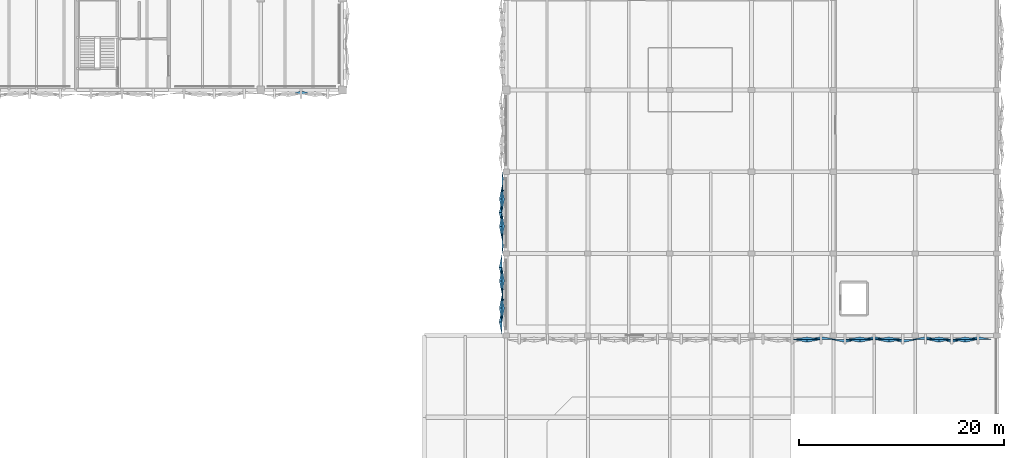
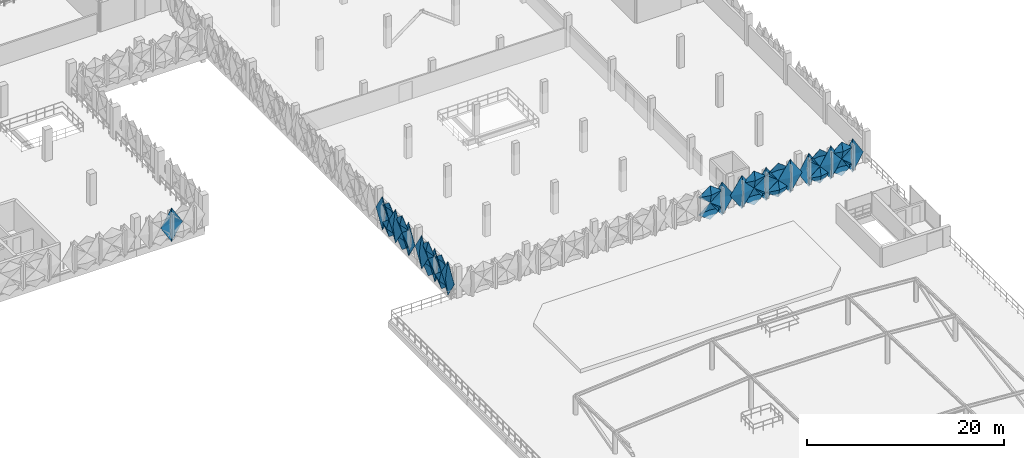
# One storey, part 57 of 76: 32 plates.
"""IFC4 building model written with IfcOpenShell, lengths in metres."""

from ifc_helpers import new_model, si_unit, derived_unit, direction, frame, origin, place, context, subcontext, project, spatial, polygons, material, layer, layer_set, type_object, element, save


model = new_model("IFC4")

# Units and contexts
model_context = context("Model", 3, precision=1e-05, world=origin(), true_north=direction((0.0, 1.0)))
body_context = subcontext(model_context, "Body", "Model", "MODEL_VIEW")
ifc_project = project(units=[si_unit("LENGTHUNIT", "METRE"), si_unit("AREAUNIT", "SQUARE_METRE"), si_unit("VOLUMEUNIT", "CUBIC_METRE"), si_unit("PLANEANGLEUNIT", "RADIAN"), si_unit("MASSUNIT", "GRAM", prefix="KILO"), si_unit("THERMODYNAMICTEMPERATUREUNIT", "KELVIN"), derived_unit("THERMALTRANSMITTANCEUNIT", [(si_unit("POWERUNIT", "WATT"), 1), (si_unit("AREAUNIT", "SQUARE_METRE"), -1), (si_unit("THERMODYNAMICTEMPERATUREUNIT", "KELVIN"), -1)])], contexts=[model_context])

# Site, building, storey
site_placement = place(None, origin())
site = spatial("IfcSite", under=ifc_project, at=site_placement, CompositionType="ELEMENT")
building_placement = place(site_placement, origin())
building = spatial("IfcBuilding", under=site, at=building_placement, Name="Haiyu Intermodal Mobility Hub", CompositionType="ELEMENT")
storey_placement = place(building_placement, frame((0.0, 0.0, 17.300048828125)))
storey = spatial("IfcBuildingStorey", under=building, at=storey_placement, Name="L04", CompositionType="ELEMENT", Elevation=17.300048828125)

# Plates
ifc_material = material(Name="Anodised aluminium 6063-T6", Category="aluminium")
ifc_layer_1 = layer(ifc_material, 0.01806640625)
ifc_layer_set_1 = layer_set([ifc_layer_1], Name="Anodised aluminium 6063-T6")
plate_type_1 = type_object("IfcPlateType", Name="PLT-FC01", PredefinedType="USERDEFINED", material=ifc_layer_set_1)
plate_1_placement = place(storey_placement, origin())
element("IfcPlate", 1, at=plate_1_placement, inside=storey, type_object=plate_type_1, Name="PLT-PYR-1894", ObjectType="FACADE CASSETTE", PredefinedType="USERDEFINED", context=body_context, shape_type="Tessellation", body=[
    polygons([(195.1669921875, 79.60009765625, -0.510009765625), (196.56298828125, 79.60009765625, 1.599853515625), (195.1669921875, 79.60009765625, 3.7099609375), (193.77001953125, 79.60009765625, 1.599853515625), (195.1669921875, 79.320068359375, 1.599853515625), (195.1669921875, 79.6220703125, -0.510009765625), (196.56298828125, 79.6220703125, 1.599853515625), (195.1669921875, 79.6220703125, 3.7099609375), (193.77001953125, 79.6220703125, 1.599853515625), (195.1669921875, 79.342041015625, 1.599853515625)], [[[1, 2, 5]], [[2, 3, 5]], [[3, 4, 5]], [[4, 1, 5]], [[7, 6, 10]], [[8, 7, 10]], [[9, 8, 10]], [[6, 9, 10]], [[1, 6, 7, 2]], [[2, 7, 8, 3]], [[3, 8, 9, 4]], [[4, 9, 6, 1]]], closed=True),
])
plate_2_placement = place(storey_placement, origin())
element("IfcPlate", 2, at=plate_2_placement, inside=storey, type_object=plate_type_1, Name="PLT-PYR-1898", ObjectType="FACADE CASSETTE", PredefinedType="USERDEFINED", context=body_context, shape_type="Tessellation", body=[
    polygons([(199.4169921875, 79.60009765625, -0.52001953125), (200.81298828125, 79.60009765625, 0.530029296875), (199.4169921875, 79.60009765625, 1.579833984375), (198.02001953125, 79.60009765625, 0.530029296875), (199.4169921875, 79.340087890625, 0.530029296875), (199.4169921875, 79.6220703125, -0.52001953125), (200.81298828125, 79.6220703125, 0.530029296875), (199.4169921875, 79.6220703125, 1.579833984375), (198.02001953125, 79.6220703125, 0.530029296875), (199.4169921875, 79.362060546875, 0.530029296875)], [[[1, 2, 5]], [[2, 3, 5]], [[3, 4, 5]], [[4, 1, 5]], [[7, 6, 10]], [[8, 7, 10]], [[9, 8, 10]], [[6, 9, 10]], [[1, 6, 7, 2]], [[2, 7, 8, 3]], [[3, 8, 9, 4]], [[4, 9, 6, 1]]], closed=True),
])
plate_3_placement = place(storey_placement, origin())
element("IfcPlate", 3, at=plate_3_placement, inside=storey, type_object=plate_type_1, Name="PLT-PYR-1902", ObjectType="FACADE CASSETTE", PredefinedType="USERDEFINED", context=body_context, shape_type="Tessellation", body=[
    polygons([(204.31689453125, 79.60009765625, -0.52001953125), (205.580078125, 79.60009765625, 0.530029296875), (204.31689453125, 79.60009765625, 1.579833984375), (203.052978515625, 79.60009765625, 0.530029296875), (204.31689453125, 79.340087890625, 0.530029296875), (204.31689453125, 79.6220703125, -0.52001953125), (205.580078125, 79.6220703125, 0.530029296875), (204.31689453125, 79.6220703125, 1.579833984375), (203.052978515625, 79.6220703125, 0.530029296875), (204.31689453125, 79.362060546875, 0.530029296875)], [[[1, 2, 5]], [[2, 3, 5]], [[3, 4, 5]], [[4, 1, 5]], [[7, 6, 10]], [[8, 7, 10]], [[9, 8, 10]], [[6, 9, 10]], [[1, 6, 7, 2]], [[2, 7, 8, 3]], [[3, 8, 9, 4]], [[4, 9, 6, 1]]], closed=True),
])
plate_4_placement = place(storey_placement, origin())
element("IfcPlate", 4, at=plate_4_placement, inside=storey, type_object=plate_type_1, Name="PLT-PYR-2148", ObjectType="FACADE CASSETTE", PredefinedType="USERDEFINED", context=body_context, shape_type="Tessellation", body=[
    polygons([(161.60009765625, 86.6669921875, -0.510009765625), (161.60009765625, 85.35302734375, 1.599853515625), (161.60009765625, 86.6669921875, 3.7099609375), (161.60009765625, 87.97998046875, 1.599853515625), (161.320068359375, 86.6669921875, 1.599853515625), (161.6220703125, 86.6669921875, -0.510009765625), (161.6220703125, 85.35302734375, 1.599853515625), (161.6220703125, 86.6669921875, 3.7099609375), (161.6220703125, 87.97998046875, 1.599853515625), (161.342041015625, 86.6669921875, 1.599853515625)], [[[1, 2, 5]], [[2, 3, 5]], [[3, 4, 5]], [[4, 1, 5]], [[7, 6, 10]], [[8, 7, 10]], [[9, 8, 10]], [[6, 9, 10]], [[1, 6, 7, 2]], [[2, 7, 8, 3]], [[3, 8, 9, 4]], [[4, 9, 6, 1]]], closed=True),
])
plate_5_placement = place(storey_placement, origin())
element("IfcPlate", 5, at=plate_5_placement, inside=storey, type_object=plate_type_1, Name="PLT-PYR-2152", ObjectType="FACADE CASSETTE", PredefinedType="USERDEFINED", context=body_context, shape_type="Tessellation", body=[
    polygons([(161.60009765625, 82.6669921875, -0.52001953125), (161.60009765625, 81.35302734375, 0.530029296875), (161.60009765625, 82.6669921875, 1.579833984375), (161.60009765625, 83.97998046875, 0.530029296875), (161.340087890625, 82.6669921875, 0.530029296875), (161.6220703125, 82.6669921875, -0.52001953125), (161.6220703125, 81.35302734375, 0.530029296875), (161.6220703125, 82.6669921875, 1.579833984375), (161.6220703125, 83.97998046875, 0.530029296875), (161.362060546875, 82.6669921875, 0.530029296875)], [[[1, 2, 5]], [[2, 3, 5]], [[3, 4, 5]], [[4, 1, 5]], [[7, 6, 10]], [[8, 7, 10]], [[9, 8, 10]], [[6, 9, 10]], [[1, 6, 7, 2]], [[2, 7, 8, 3]], [[3, 8, 9, 4]], [[4, 9, 6, 1]]], closed=True),
])
plate_6_placement = place(storey_placement, origin())
element("IfcPlate", 6, at=plate_6_placement, inside=storey, type_object=plate_type_1, Name="PLT-PYR-2156", ObjectType="FACADE CASSETTE", PredefinedType="USERDEFINED", context=body_context, shape_type="Tessellation", body=[
    polygons([(161.60009765625, 93.3330078125, -0.52001953125), (161.60009765625, 92.02001953125, 0.530029296875), (161.60009765625, 93.3330078125, 1.579833984375), (161.60009765625, 94.64697265625, 0.530029296875), (161.340087890625, 93.3330078125, 0.530029296875), (161.6220703125, 93.3330078125, -0.52001953125), (161.6220703125, 92.02001953125, 0.530029296875), (161.6220703125, 93.3330078125, 1.579833984375), (161.6220703125, 94.64697265625, 0.530029296875), (161.362060546875, 93.3330078125, 0.530029296875)], [[[1, 2, 5]], [[2, 3, 5]], [[3, 4, 5]], [[4, 1, 5]], [[7, 6, 10]], [[8, 7, 10]], [[9, 8, 10]], [[6, 9, 10]], [[1, 6, 7, 2]], [[2, 7, 8, 3]], [[3, 8, 9, 4]], [[4, 9, 6, 1]]], closed=True),
])
ifc_layer_2 = layer(ifc_material, 0.02001953125)
ifc_layer_set_2 = layer_set([ifc_layer_2], Name="Anodised aluminium 6063-T6")
plate_type_2 = type_object("IfcPlateType", Name="PLT-FC02", PredefinedType="USERDEFINED", material=ifc_layer_set_2)
plate_7_placement = place(storey_placement, origin())
element("IfcPlate", 7, at=plate_7_placement, inside=storey, type_object=plate_type_2, Name="PLT-PYR-1891", ObjectType="FACADE CASSETTE", PredefinedType="USERDEFINED", context=body_context, shape_type="Tessellation", body=[
    polygons([(191.4169921875, 79.60009765625, -0.52001953125), (192.81298828125, 79.60009765625, 0.530029296875), (191.4169921875, 79.60009765625, 1.579833984375), (190.02001953125, 79.60009765625, 0.530029296875), (191.4169921875, 79.820068359375, 0.530029296875), (191.4169921875, 79.6220703125, -0.52001953125), (192.81298828125, 79.6220703125, 0.530029296875), (191.4169921875, 79.6220703125, 1.579833984375), (190.02001953125, 79.6220703125, 0.530029296875), (191.4169921875, 79.842041015625, 0.530029296875)], [[[1, 2, 5]], [[2, 3, 5]], [[3, 4, 5]], [[4, 1, 5]], [[7, 6, 10]], [[8, 7, 10]], [[9, 8, 10]], [[6, 9, 10]], [[1, 6, 7, 2]], [[2, 7, 8, 3]], [[3, 8, 9, 4]], [[4, 9, 6, 1]]], closed=True),
])
plate_8_placement = place(storey_placement, origin())
element("IfcPlate", 8, at=plate_8_placement, inside=storey, type_object=plate_type_2, Name="PLT-PYR-1895", ObjectType="FACADE CASSETTE", PredefinedType="USERDEFINED", context=body_context, shape_type="Tessellation", body=[
    polygons([(196.5830078125, 79.60009765625, -0.52001953125), (197.97998046875, 79.60009765625, 0.530029296875), (196.5830078125, 79.60009765625, 1.579833984375), (195.18701171875, 79.60009765625, 0.530029296875), (196.5830078125, 79.820068359375, 0.530029296875), (196.5830078125, 79.6220703125, -0.52001953125), (197.97998046875, 79.6220703125, 0.530029296875), (196.5830078125, 79.6220703125, 1.579833984375), (195.18701171875, 79.6220703125, 0.530029296875), (196.5830078125, 79.842041015625, 0.530029296875)], [[[1, 2, 5]], [[2, 3, 5]], [[3, 4, 5]], [[4, 1, 5]], [[7, 6, 10]], [[8, 7, 10]], [[9, 8, 10]], [[6, 9, 10]], [[1, 6, 7, 2]], [[2, 7, 8, 3]], [[3, 8, 9, 4]], [[4, 9, 6, 1]]], closed=True),
])
plate_9_placement = place(storey_placement, origin())
element("IfcPlate", 9, at=plate_9_placement, inside=storey, type_object=plate_type_2, Name="PLT-PYR-1901", ObjectType="FACADE CASSETTE", PredefinedType="USERDEFINED", context=body_context, shape_type="Tessellation", body=[
    polygons([(203.032958984375, 79.60009765625, -0.510009765625), (204.297119140625, 79.60009765625, 1.599853515625), (203.032958984375, 79.60009765625, 3.7099609375), (201.77001953125, 79.60009765625, 1.599853515625), (203.032958984375, 79.860107421875, 1.599853515625), (203.032958984375, 79.6220703125, -0.510009765625), (204.297119140625, 79.6220703125, 1.599853515625), (203.032958984375, 79.6220703125, 3.7099609375), (201.77001953125, 79.6220703125, 1.599853515625), (203.032958984375, 79.882080078125, 1.599853515625)], [[[1, 2, 5]], [[2, 3, 5]], [[3, 4, 5]], [[4, 1, 5]], [[7, 6, 10]], [[8, 7, 10]], [[9, 8, 10]], [[6, 9, 10]], [[1, 6, 7, 2]], [[2, 7, 8, 3]], [[3, 8, 9, 4]], [[4, 9, 6, 1]]], closed=True),
])
plate_10_placement = place(storey_placement, origin())
element("IfcPlate", 10, at=plate_10_placement, inside=storey, type_object=plate_type_2, Name="PLT-PYR-1905", ObjectType="FACADE CASSETTE", PredefinedType="USERDEFINED", context=body_context, shape_type="Tessellation", body=[
    polygons([(206.883056640625, 79.60009765625, -0.52001953125), (208.14697265625, 79.60009765625, 0.530029296875), (206.883056640625, 79.60009765625, 1.579833984375), (205.6201171875, 79.60009765625, 0.530029296875), (206.883056640625, 79.820068359375, 0.530029296875), (206.883056640625, 79.6220703125, -0.52001953125), (208.14697265625, 79.6220703125, 0.530029296875), (206.883056640625, 79.6220703125, 1.579833984375), (205.6201171875, 79.6220703125, 0.530029296875), (206.883056640625, 79.842041015625, 0.530029296875)], [[[1, 2, 5]], [[2, 3, 5]], [[3, 4, 5]], [[4, 1, 5]], [[7, 6, 10]], [[8, 7, 10]], [[9, 8, 10]], [[6, 9, 10]], [[1, 6, 7, 2]], [[2, 7, 8, 3]], [[3, 8, 9, 4]], [[4, 9, 6, 1]]], closed=True),
])
plate_11_placement = place(storey_placement, origin())
element("IfcPlate", 11, at=plate_11_placement, inside=storey, type_object=plate_type_2, Name="PLT-PYR-2149", ObjectType="FACADE CASSETTE", PredefinedType="USERDEFINED", context=body_context, shape_type="Tessellation", body=[
    polygons([(161.60009765625, 85.3330078125, -0.52001953125), (161.60009765625, 84.02001953125, 0.530029296875), (161.60009765625, 85.3330078125, 1.579833984375), (161.60009765625, 86.64697265625, 0.530029296875), (161.820068359375, 85.3330078125, 0.530029296875), (161.6220703125, 85.3330078125, -0.52001953125), (161.6220703125, 84.02001953125, 0.530029296875), (161.6220703125, 85.3330078125, 1.579833984375), (161.6220703125, 86.64697265625, 0.530029296875), (161.842041015625, 85.3330078125, 0.530029296875)], [[[1, 2, 5]], [[2, 3, 5]], [[3, 4, 5]], [[4, 1, 5]], [[7, 6, 10]], [[8, 7, 10]], [[9, 8, 10]], [[6, 9, 10]], [[1, 6, 7, 2]], [[2, 7, 8, 3]], [[3, 8, 9, 4]], [[4, 9, 6, 1]]], closed=True),
])
plate_12_placement = place(storey_placement, origin())
element("IfcPlate", 12, at=plate_12_placement, inside=storey, type_object=plate_type_2, Name="PLT-PYR-2155", ObjectType="FACADE CASSETTE", PredefinedType="USERDEFINED", context=body_context, shape_type="Tessellation", body=[
    polygons([(161.60009765625, 94.6669921875, -0.510009765625), (161.60009765625, 93.35302734375, 1.599853515625), (161.60009765625, 94.6669921875, 3.7099609375), (161.60009765625, 95.97998046875, 1.599853515625), (161.860107421875, 94.6669921875, 1.599853515625), (161.6220703125, 94.6669921875, -0.510009765625), (161.6220703125, 93.35302734375, 1.599853515625), (161.6220703125, 94.6669921875, 3.7099609375), (161.6220703125, 95.97998046875, 1.599853515625), (161.882080078125, 94.6669921875, 1.599853515625)], [[[1, 2, 5]], [[2, 3, 5]], [[3, 4, 5]], [[4, 1, 5]], [[7, 6, 10]], [[8, 7, 10]], [[9, 8, 10]], [[6, 9, 10]], [[1, 6, 7, 2]], [[2, 7, 8, 3]], [[3, 8, 9, 4]], [[4, 9, 6, 1]]], closed=True),
])
plate_13_placement = place(storey_placement, origin())
element("IfcPlate", 13, at=plate_13_placement, inside=storey, type_object=plate_type_2, Name="PLT-PYR-2159", ObjectType="FACADE CASSETTE", PredefinedType="USERDEFINED", context=body_context, shape_type="Tessellation", body=[
    polygons([(161.60009765625, 90.6669921875, -0.52001953125), (161.60009765625, 89.35302734375, 0.530029296875), (161.60009765625, 90.6669921875, 1.579833984375), (161.60009765625, 91.97998046875, 0.530029296875), (161.820068359375, 90.6669921875, 0.530029296875), (161.6220703125, 90.6669921875, -0.52001953125), (161.6220703125, 89.35302734375, 0.530029296875), (161.6220703125, 90.6669921875, 1.579833984375), (161.6220703125, 91.97998046875, 0.530029296875), (161.842041015625, 90.6669921875, 0.530029296875)], [[[1, 2, 5]], [[2, 3, 5]], [[3, 4, 5]], [[4, 1, 5]], [[7, 6, 10]], [[8, 7, 10]], [[9, 8, 10]], [[6, 9, 10]], [[1, 6, 7, 2]], [[2, 7, 8, 3]], [[3, 8, 9, 4]], [[4, 9, 6, 1]]], closed=True),
])
ifc_layer_3 = layer(ifc_material, 0.01806640625)
ifc_layer_set_3 = layer_set([ifc_layer_3], Name="Anodised aluminium 6063-T6")
plate_type_3 = type_object("IfcPlateType", Name="PLT-FC03", PredefinedType="USERDEFINED", material=ifc_layer_set_3)
plate_14_placement = place(storey_placement, origin())
element("IfcPlate", 14, at=plate_14_placement, inside=storey, type_object=plate_type_3, Name="PLT-PYR-1892", ObjectType="FACADE CASSETTE", PredefinedType="USERDEFINED", context=body_context, shape_type="Tessellation", body=[
    polygons([(191.4169921875, 79.60009765625, 1.619873046875), (192.81298828125, 79.60009765625, 2.669921875), (191.4169921875, 79.60009765625, 3.719970703125), (190.02001953125, 79.60009765625, 2.669921875), (191.4169921875, 79.340087890625, 2.669921875), (191.4169921875, 79.6220703125, 1.619873046875), (192.81298828125, 79.6220703125, 2.669921875), (191.4169921875, 79.6220703125, 3.719970703125), (190.02001953125, 79.6220703125, 2.669921875), (191.4169921875, 79.362060546875, 2.669921875)], [[[1, 2, 5]], [[2, 3, 5]], [[3, 4, 5]], [[4, 1, 5]], [[7, 6, 10]], [[8, 7, 10]], [[9, 8, 10]], [[6, 9, 10]], [[1, 6, 7, 2]], [[2, 7, 8, 3]], [[3, 8, 9, 4]], [[4, 9, 6, 1]]], closed=True),
])
plate_15_placement = place(storey_placement, origin())
element("IfcPlate", 15, at=plate_15_placement, inside=storey, type_object=plate_type_3, Name="PLT-PYR-1896", ObjectType="FACADE CASSETTE", PredefinedType="USERDEFINED", context=body_context, shape_type="Tessellation", body=[
    polygons([(196.5830078125, 79.60009765625, 1.619873046875), (197.97998046875, 79.60009765625, 2.669921875), (196.5830078125, 79.60009765625, 3.719970703125), (195.18701171875, 79.60009765625, 2.669921875), (196.5830078125, 79.340087890625, 2.669921875), (196.5830078125, 79.6220703125, 1.619873046875), (197.97998046875, 79.6220703125, 2.669921875), (196.5830078125, 79.6220703125, 3.719970703125), (195.18701171875, 79.6220703125, 2.669921875), (196.5830078125, 79.362060546875, 2.669921875)], [[[1, 2, 5]], [[2, 3, 5]], [[3, 4, 5]], [[4, 1, 5]], [[7, 6, 10]], [[8, 7, 10]], [[9, 8, 10]], [[6, 9, 10]], [[1, 6, 7, 2]], [[2, 7, 8, 3]], [[3, 8, 9, 4]], [[4, 9, 6, 1]]], closed=True),
])
plate_16_placement = place(storey_placement, origin())
element("IfcPlate", 16, at=plate_16_placement, inside=storey, type_object=plate_type_3, Name="PLT-PYR-1904", ObjectType="FACADE CASSETTE", PredefinedType="USERDEFINED", context=body_context, shape_type="Tessellation", body=[
    polygons([(205.60009765625, 79.60009765625, -0.510009765625), (206.863037109375, 79.60009765625, 1.599853515625), (205.60009765625, 79.60009765625, 3.7099609375), (204.3369140625, 79.60009765625, 1.599853515625), (205.60009765625, 79.320068359375, 1.599853515625), (205.60009765625, 79.6220703125, -0.510009765625), (206.863037109375, 79.6220703125, 1.599853515625), (205.60009765625, 79.6220703125, 3.7099609375), (204.3369140625, 79.6220703125, 1.599853515625), (205.60009765625, 79.342041015625, 1.599853515625)], [[[1, 2, 5]], [[2, 3, 5]], [[3, 4, 5]], [[4, 1, 5]], [[7, 6, 10]], [[8, 7, 10]], [[9, 8, 10]], [[6, 9, 10]], [[1, 6, 7, 2]], [[2, 7, 8, 3]], [[3, 8, 9, 4]], [[4, 9, 6, 1]]], closed=True),
])
plate_17_placement = place(storey_placement, origin())
element("IfcPlate", 17, at=plate_17_placement, inside=storey, type_object=plate_type_3, Name="PLT-PYR-1906", ObjectType="FACADE CASSETTE", PredefinedType="USERDEFINED", context=body_context, shape_type="Tessellation", body=[
    polygons([(206.883056640625, 79.60009765625, 1.619873046875), (208.14697265625, 79.60009765625, 2.669921875), (206.883056640625, 79.60009765625, 3.719970703125), (205.6201171875, 79.60009765625, 2.669921875), (206.883056640625, 79.340087890625, 2.669921875), (206.883056640625, 79.6220703125, 1.619873046875), (208.14697265625, 79.6220703125, 2.669921875), (206.883056640625, 79.6220703125, 3.719970703125), (205.6201171875, 79.6220703125, 2.669921875), (206.883056640625, 79.362060546875, 2.669921875)], [[[1, 2, 5]], [[2, 3, 5]], [[3, 4, 5]], [[4, 1, 5]], [[7, 6, 10]], [[8, 7, 10]], [[9, 8, 10]], [[6, 9, 10]], [[1, 6, 7, 2]], [[2, 7, 8, 3]], [[3, 8, 9, 4]], [[4, 9, 6, 1]]], closed=True),
])
plate_18_placement = place(storey_placement, origin())
element("IfcPlate", 18, at=plate_18_placement, inside=storey, type_object=plate_type_3, Name="PLT-PYR-2150", ObjectType="FACADE CASSETTE", PredefinedType="USERDEFINED", context=body_context, shape_type="Tessellation", body=[
    polygons([(161.60009765625, 85.3330078125, 1.619873046875), (161.60009765625, 84.02001953125, 2.669921875), (161.60009765625, 85.3330078125, 3.719970703125), (161.60009765625, 86.64697265625, 2.669921875), (161.340087890625, 85.3330078125, 2.669921875), (161.6220703125, 85.3330078125, 1.619873046875), (161.6220703125, 84.02001953125, 2.669921875), (161.6220703125, 85.3330078125, 3.719970703125), (161.6220703125, 86.64697265625, 2.669921875), (161.362060546875, 85.3330078125, 2.669921875)], [[[1, 2, 5]], [[2, 3, 5]], [[3, 4, 5]], [[4, 1, 5]], [[7, 6, 10]], [[8, 7, 10]], [[9, 8, 10]], [[6, 9, 10]], [[1, 6, 7, 2]], [[2, 7, 8, 3]], [[3, 8, 9, 4]], [[4, 9, 6, 1]]], closed=True),
])
plate_19_placement = place(storey_placement, origin())
element("IfcPlate", 19, at=plate_19_placement, inside=storey, type_object=plate_type_3, Name="PLT-PYR-2158", ObjectType="FACADE CASSETTE", PredefinedType="USERDEFINED", context=body_context, shape_type="Tessellation", body=[
    polygons([(161.60009765625, 92.0, -0.510009765625), (161.60009765625, 90.68701171875, 1.599853515625), (161.60009765625, 92.0, 3.7099609375), (161.60009765625, 93.31298828125, 1.599853515625), (161.320068359375, 92.0, 1.599853515625), (161.6220703125, 92.0, -0.510009765625), (161.6220703125, 90.68701171875, 1.599853515625), (161.6220703125, 92.0, 3.7099609375), (161.6220703125, 93.31298828125, 1.599853515625), (161.342041015625, 92.0, 1.599853515625)], [[[1, 2, 5]], [[2, 3, 5]], [[3, 4, 5]], [[4, 1, 5]], [[7, 6, 10]], [[8, 7, 10]], [[9, 8, 10]], [[6, 9, 10]], [[1, 6, 7, 2]], [[2, 7, 8, 3]], [[3, 8, 9, 4]], [[4, 9, 6, 1]]], closed=True),
])
plate_20_placement = place(storey_placement, origin())
element("IfcPlate", 20, at=plate_20_placement, inside=storey, type_object=plate_type_3, Name="PLT-PYR-2160", ObjectType="FACADE CASSETTE", PredefinedType="USERDEFINED", context=body_context, shape_type="Tessellation", body=[
    polygons([(161.60009765625, 90.6669921875, 1.619873046875), (161.60009765625, 89.35302734375, 2.669921875), (161.60009765625, 90.6669921875, 3.719970703125), (161.60009765625, 91.97998046875, 2.669921875), (161.340087890625, 90.6669921875, 2.669921875), (161.6220703125, 90.6669921875, 1.619873046875), (161.6220703125, 89.35302734375, 2.669921875), (161.6220703125, 90.6669921875, 3.719970703125), (161.6220703125, 91.97998046875, 2.669921875), (161.362060546875, 90.6669921875, 2.669921875)], [[[1, 2, 5]], [[2, 3, 5]], [[3, 4, 5]], [[4, 1, 5]], [[7, 6, 10]], [[8, 7, 10]], [[9, 8, 10]], [[6, 9, 10]], [[1, 6, 7, 2]], [[2, 7, 8, 3]], [[3, 8, 9, 4]], [[4, 9, 6, 1]]], closed=True),
])
ifc_layer_4 = layer(ifc_material, 0.02001953125)
ifc_layer_set_4 = layer_set([ifc_layer_4], Name="Anodised aluminium 6063-T6")
plate_type_4 = type_object("IfcPlateType", Name="PLT-FC04", PredefinedType="USERDEFINED", material=ifc_layer_set_4)
plate_21_placement = place(storey_placement, origin())
element("IfcPlate", 21, at=plate_21_placement, inside=storey, type_object=plate_type_4, Name="PLT-PYR-1004", ObjectType="FACADE CASSETTE", PredefinedType="USERDEFINED", context=body_context, shape_type="Tessellation", body=[
    polygons([(142.0, 103.60009765625, -0.510009765625), (143.287109375, 103.60009765625, 1.599853515625), (142.0, 103.60009765625, 3.7099609375), (140.712890625, 103.60009765625, 1.599853515625), (142.0, 103.860107421875, 1.599853515625), (142.0, 103.6220703125, -0.510009765625), (143.287109375, 103.6220703125, 1.599853515625), (142.0, 103.6220703125, 3.7099609375), (140.712890625, 103.6220703125, 1.599853515625), (142.0, 103.882080078125, 1.599853515625)], [[[1, 2, 5]], [[2, 3, 5]], [[3, 4, 5]], [[4, 1, 5]], [[7, 6, 10]], [[8, 7, 10]], [[9, 8, 10]], [[6, 9, 10]], [[1, 6, 7, 2]], [[2, 7, 8, 3]], [[3, 8, 9, 4]], [[4, 9, 6, 1]]], closed=True),
])
plate_22_placement = place(storey_placement, origin())
element("IfcPlate", 22, at=plate_22_placement, inside=storey, type_object=plate_type_4, Name="PLT-PYR-1897", ObjectType="FACADE CASSETTE", PredefinedType="USERDEFINED", context=body_context, shape_type="Tessellation", body=[
    polygons([(198.0, 79.60009765625, -0.510009765625), (199.39697265625, 79.60009765625, 1.599853515625), (198.0, 79.60009765625, 3.7099609375), (196.60302734375, 79.60009765625, 1.599853515625), (198.0, 79.860107421875, 1.599853515625), (198.0, 79.6220703125, -0.510009765625), (199.39697265625, 79.6220703125, 1.599853515625), (198.0, 79.6220703125, 3.7099609375), (196.60302734375, 79.6220703125, 1.599853515625), (198.0, 79.882080078125, 1.599853515625)], [[[1, 2, 5]], [[2, 3, 5]], [[3, 4, 5]], [[4, 1, 5]], [[7, 6, 10]], [[8, 7, 10]], [[9, 8, 10]], [[6, 9, 10]], [[1, 6, 7, 2]], [[2, 7, 8, 3]], [[3, 8, 9, 4]], [[4, 9, 6, 1]]], closed=True),
])
plate_23_placement = place(storey_placement, origin())
element("IfcPlate", 23, at=plate_23_placement, inside=storey, type_object=plate_type_4, Name="PLT-PYR-1899", ObjectType="FACADE CASSETTE", PredefinedType="USERDEFINED", context=body_context, shape_type="Tessellation", body=[
    polygons([(199.4169921875, 79.60009765625, 1.619873046875), (200.81298828125, 79.60009765625, 2.669921875), (199.4169921875, 79.60009765625, 3.719970703125), (198.02001953125, 79.60009765625, 2.669921875), (199.4169921875, 79.820068359375, 2.669921875), (199.4169921875, 79.6220703125, 1.619873046875), (200.81298828125, 79.6220703125, 2.669921875), (199.4169921875, 79.6220703125, 3.719970703125), (198.02001953125, 79.6220703125, 2.669921875), (199.4169921875, 79.842041015625, 2.669921875)], [[[1, 2, 5]], [[2, 3, 5]], [[3, 4, 5]], [[4, 1, 5]], [[7, 6, 10]], [[8, 7, 10]], [[9, 8, 10]], [[6, 9, 10]], [[1, 6, 7, 2]], [[2, 7, 8, 3]], [[3, 8, 9, 4]], [[4, 9, 6, 1]]], closed=True),
])
plate_24_placement = place(storey_placement, origin())
element("IfcPlate", 24, at=plate_24_placement, inside=storey, type_object=plate_type_4, Name="PLT-PYR-1903", ObjectType="FACADE CASSETTE", PredefinedType="USERDEFINED", context=body_context, shape_type="Tessellation", body=[
    polygons([(204.31689453125, 79.60009765625, 1.619873046875), (205.580078125, 79.60009765625, 2.669921875), (204.31689453125, 79.60009765625, 3.719970703125), (203.052978515625, 79.60009765625, 2.669921875), (204.31689453125, 79.820068359375, 2.669921875), (204.31689453125, 79.6220703125, 1.619873046875), (205.580078125, 79.6220703125, 2.669921875), (204.31689453125, 79.6220703125, 3.719970703125), (203.052978515625, 79.6220703125, 2.669921875), (204.31689453125, 79.842041015625, 2.669921875)], [[[1, 2, 5]], [[2, 3, 5]], [[3, 4, 5]], [[4, 1, 5]], [[7, 6, 10]], [[8, 7, 10]], [[9, 8, 10]], [[6, 9, 10]], [[1, 6, 7, 2]], [[2, 7, 8, 3]], [[3, 8, 9, 4]], [[4, 9, 6, 1]]], closed=True),
])
plate_25_placement = place(storey_placement, origin())
element("IfcPlate", 25, at=plate_25_placement, inside=storey, type_object=plate_type_4, Name="PLT-PYR-2151", ObjectType="FACADE CASSETTE", PredefinedType="USERDEFINED", context=body_context, shape_type="Tessellation", body=[
    polygons([(161.60009765625, 84.0, -0.510009765625), (161.60009765625, 82.68701171875, 1.599853515625), (161.60009765625, 84.0, 3.7099609375), (161.60009765625, 85.31298828125, 1.599853515625), (161.860107421875, 84.0, 1.599853515625), (161.6220703125, 84.0, -0.510009765625), (161.6220703125, 82.68701171875, 1.599853515625), (161.6220703125, 84.0, 3.7099609375), (161.6220703125, 85.31298828125, 1.599853515625), (161.882080078125, 84.0, 1.599853515625)], [[[1, 2, 5]], [[2, 3, 5]], [[3, 4, 5]], [[4, 1, 5]], [[7, 6, 10]], [[8, 7, 10]], [[9, 8, 10]], [[6, 9, 10]], [[1, 6, 7, 2]], [[2, 7, 8, 3]], [[3, 8, 9, 4]], [[4, 9, 6, 1]]], closed=True),
])
plate_26_placement = place(storey_placement, origin())
element("IfcPlate", 26, at=plate_26_placement, inside=storey, type_object=plate_type_4, Name="PLT-PYR-2153", ObjectType="FACADE CASSETTE", PredefinedType="USERDEFINED", context=body_context, shape_type="Tessellation", body=[
    polygons([(161.60009765625, 82.6669921875, 1.619873046875), (161.60009765625, 81.35302734375, 2.669921875), (161.60009765625, 82.6669921875, 3.719970703125), (161.60009765625, 83.97998046875, 2.669921875), (161.820068359375, 82.6669921875, 2.669921875), (161.6220703125, 82.6669921875, 1.619873046875), (161.6220703125, 81.35302734375, 2.669921875), (161.6220703125, 82.6669921875, 3.719970703125), (161.6220703125, 83.97998046875, 2.669921875), (161.842041015625, 82.6669921875, 2.669921875)], [[[1, 2, 5]], [[2, 3, 5]], [[3, 4, 5]], [[4, 1, 5]], [[7, 6, 10]], [[8, 7, 10]], [[9, 8, 10]], [[6, 9, 10]], [[1, 6, 7, 2]], [[2, 7, 8, 3]], [[3, 8, 9, 4]], [[4, 9, 6, 1]]], closed=True),
])
plate_27_placement = place(storey_placement, origin())
element("IfcPlate", 27, at=plate_27_placement, inside=storey, type_object=plate_type_4, Name="PLT-PYR-2157", ObjectType="FACADE CASSETTE", PredefinedType="USERDEFINED", context=body_context, shape_type="Tessellation", body=[
    polygons([(161.60009765625, 93.3330078125, 1.619873046875), (161.60009765625, 92.02001953125, 2.669921875), (161.60009765625, 93.3330078125, 3.719970703125), (161.60009765625, 94.64697265625, 2.669921875), (161.820068359375, 93.3330078125, 2.669921875), (161.6220703125, 93.3330078125, 1.619873046875), (161.6220703125, 92.02001953125, 2.669921875), (161.6220703125, 93.3330078125, 3.719970703125), (161.6220703125, 94.64697265625, 2.669921875), (161.842041015625, 93.3330078125, 2.669921875)], [[[1, 2, 5]], [[2, 3, 5]], [[3, 4, 5]], [[4, 1, 5]], [[7, 6, 10]], [[8, 7, 10]], [[9, 8, 10]], [[6, 9, 10]], [[1, 6, 7, 2]], [[2, 7, 8, 3]], [[3, 8, 9, 4]], [[4, 9, 6, 1]]], closed=True),
])
ifc_layer_5 = layer(ifc_material, 0.01806640625)
ifc_layer_set_5 = layer_set([ifc_layer_5], Name="Anodised aluminium 6063-T6")
plate_type_5 = type_object("IfcPlateType", Name="PLT-FC05", PredefinedType="USERDEFINED", material=ifc_layer_set_5)
plate_28_placement = place(storey_placement, origin())
element("IfcPlate", 28, at=plate_28_placement, inside=storey, type_object=plate_type_5, Name="PLT-PYR-1900", ObjectType="FACADE CASSETTE", PredefinedType="USERDEFINED", context=body_context, shape_type="Tessellation", body=[
    polygons([(200.8330078125, 79.60009765625, -0.510009765625), (202.22998046875, 79.60009765625, 1.599853515625), (200.8330078125, 79.60009765625, 3.7099609375), (199.43701171875, 79.60009765625, 1.599853515625), (200.8330078125, 79.320068359375, 1.599853515625), (200.8330078125, 79.6220703125, -0.510009765625), (202.22998046875, 79.6220703125, 1.599853515625), (200.8330078125, 79.6220703125, 3.7099609375), (199.43701171875, 79.6220703125, 1.599853515625), (200.8330078125, 79.342041015625, 1.599853515625)], [[[1, 2, 5]], [[2, 3, 5]], [[3, 4, 5]], [[4, 1, 5]], [[7, 6, 10]], [[8, 7, 10]], [[9, 8, 10]], [[6, 9, 10]], [[1, 6, 7, 2]], [[2, 7, 8, 3]], [[3, 8, 9, 4]], [[4, 9, 6, 1]]], closed=True),
])
plate_29_placement = place(storey_placement, origin())
element("IfcPlate", 29, at=plate_29_placement, inside=storey, type_object=plate_type_5, Name="PLT-PYR-2154", ObjectType="FACADE CASSETTE", PredefinedType="USERDEFINED", context=body_context, shape_type="Tessellation", body=[
    polygons([(161.60009765625, 81.3330078125, -0.510009765625), (161.60009765625, 80.02001953125, 1.599853515625), (161.60009765625, 81.3330078125, 3.7099609375), (161.60009765625, 82.64697265625, 1.599853515625), (161.320068359375, 81.3330078125, 1.599853515625), (161.6220703125, 81.3330078125, -0.510009765625), (161.6220703125, 80.02001953125, 1.599853515625), (161.6220703125, 81.3330078125, 3.7099609375), (161.6220703125, 82.64697265625, 1.599853515625), (161.342041015625, 81.3330078125, 1.599853515625)], [[[1, 2, 5]], [[2, 3, 5]], [[3, 4, 5]], [[4, 1, 5]], [[7, 6, 10]], [[8, 7, 10]], [[9, 8, 10]], [[6, 9, 10]], [[1, 6, 7, 2]], [[2, 7, 8, 3]], [[3, 8, 9, 4]], [[4, 9, 6, 1]]], closed=True),
])
ifc_layer_6 = layer(ifc_material, 0.02001953125)
ifc_layer_set_6 = layer_set([ifc_layer_6], Name="Anodised aluminium 6063-T6")
plate_type_6 = type_object("IfcPlateType", Name="PLT-FC06", PredefinedType="USERDEFINED", material=ifc_layer_set_6)
plate_30_placement = place(storey_placement, origin())
element("IfcPlate", 30, at=plate_30_placement, inside=storey, type_object=plate_type_6, Name="PLT-PYR-1893", ObjectType="FACADE CASSETTE", PredefinedType="USERDEFINED", context=body_context, shape_type="Tessellation", body=[
    polygons([(192.8330078125, 79.60009765625, -0.510009765625), (194.22998046875, 79.60009765625, 1.599853515625), (192.8330078125, 79.60009765625, 3.7099609375), (191.43701171875, 79.60009765625, 1.599853515625), (192.8330078125, 79.860107421875, 1.599853515625), (192.8330078125, 79.6220703125, -0.510009765625), (194.22998046875, 79.6220703125, 1.599853515625), (192.8330078125, 79.6220703125, 3.7099609375), (191.43701171875, 79.6220703125, 1.599853515625), (192.8330078125, 79.882080078125, 1.599853515625)], [[[1, 2, 5]], [[2, 3, 5]], [[3, 4, 5]], [[4, 1, 5]], [[7, 6, 10]], [[8, 7, 10]], [[9, 8, 10]], [[6, 9, 10]], [[1, 6, 7, 2]], [[2, 7, 8, 3]], [[3, 8, 9, 4]], [[4, 9, 6, 1]]], closed=True),
])
plate_31_placement = place(storey_placement, origin())
element("IfcPlate", 31, at=plate_31_placement, inside=storey, type_object=plate_type_6, Name="PLT-PYR-1907", ObjectType="FACADE CASSETTE", PredefinedType="USERDEFINED", context=body_context, shape_type="Tessellation", body=[
    polygons([(208.1669921875, 79.60009765625, -0.510009765625), (209.429931640625, 79.60009765625, 1.599853515625), (208.1669921875, 79.60009765625, 3.7099609375), (206.903076171875, 79.60009765625, 1.599853515625), (208.1669921875, 79.860107421875, 1.599853515625), (208.1669921875, 79.6220703125, -0.510009765625), (209.429931640625, 79.6220703125, 1.599853515625), (208.1669921875, 79.6220703125, 3.7099609375), (206.903076171875, 79.6220703125, 1.599853515625), (208.1669921875, 79.882080078125, 1.599853515625)], [[[1, 2, 5]], [[2, 3, 5]], [[3, 4, 5]], [[4, 1, 5]], [[7, 6, 10]], [[8, 7, 10]], [[9, 8, 10]], [[6, 9, 10]], [[1, 6, 7, 2]], [[2, 7, 8, 3]], [[3, 8, 9, 4]], [[4, 9, 6, 1]]], closed=True),
])
plate_32_placement = place(storey_placement, origin())
element("IfcPlate", 32, at=plate_32_placement, inside=storey, type_object=plate_type_6, Name="PLT-PYR-2161", ObjectType="FACADE CASSETTE", PredefinedType="USERDEFINED", context=body_context, shape_type="Tessellation", body=[
    polygons([(161.60009765625, 89.3330078125, -0.510009765625), (161.60009765625, 88.02001953125, 1.599853515625), (161.60009765625, 89.3330078125, 3.7099609375), (161.60009765625, 90.64697265625, 1.599853515625), (161.860107421875, 89.3330078125, 1.599853515625), (161.6220703125, 89.3330078125, -0.510009765625), (161.6220703125, 88.02001953125, 1.599853515625), (161.6220703125, 89.3330078125, 3.7099609375), (161.6220703125, 90.64697265625, 1.599853515625), (161.882080078125, 89.3330078125, 1.599853515625)], [[[1, 2, 5]], [[2, 3, 5]], [[3, 4, 5]], [[4, 1, 5]], [[7, 6, 10]], [[8, 7, 10]], [[9, 8, 10]], [[6, 9, 10]], [[1, 6, 7, 2]], [[2, 7, 8, 3]], [[3, 8, 9, 4]], [[4, 9, 6, 1]]], closed=True),
])

save(model, "model.ifc")
